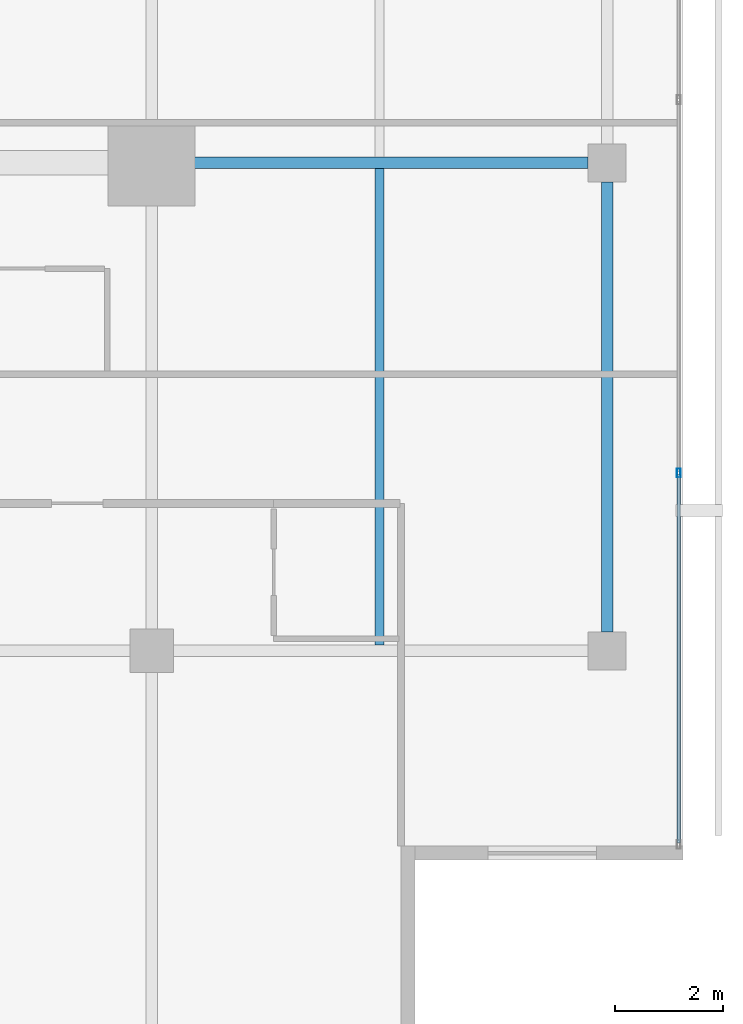
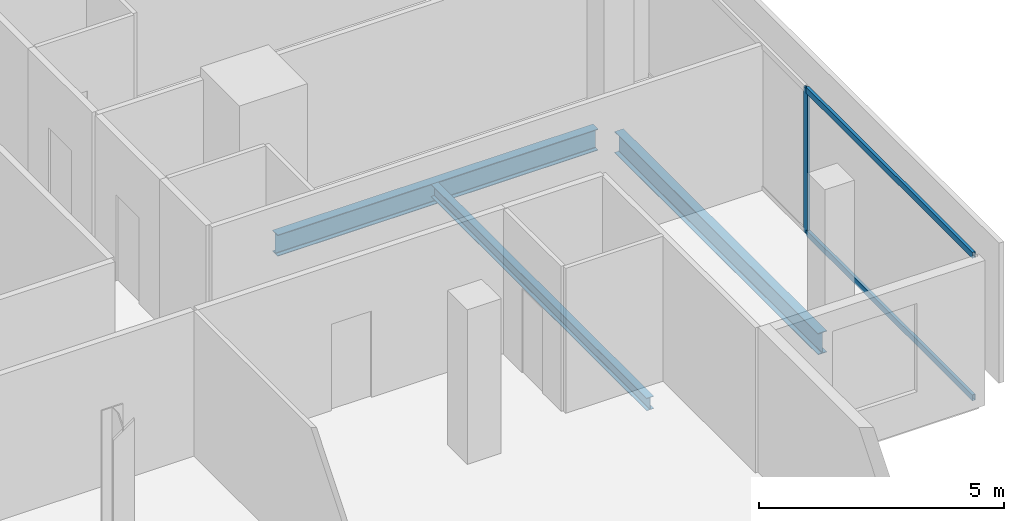
# One storey, part 12 of 25: 3 beams, 3 members, 1 element without a shape of its own.
"""IFC4 building model written with IfcOpenShell, lengths in metres."""

from ifc_helpers import new_model, si_unit, direction, frame, origin, origin_2d, place, context, subcontext, project, spatial, hollow_rectangle, i_section, extrude, material, layer, layer_set, material_profile, profile_set, type_object, element, aggregate, save


model = new_model("IFC4")

# Units and contexts
model_context = context("Model", 3, precision=1e-05, world=origin(), true_north=direction((0.0, 1.0)))
body_context = subcontext(model_context, "Body", "Model", "MODEL_VIEW")
ifc_project = project(units=[si_unit("LENGTHUNIT", "METRE"), si_unit("AREAUNIT", "SQUARE_METRE"), si_unit("VOLUMEUNIT", "CUBIC_METRE"), si_unit("PLANEANGLEUNIT", "RADIAN"), si_unit("MASSUNIT", "GRAM", prefix="KILO")], contexts=[model_context])

# Site, building, storey
site_placement = place(None, origin())
site = spatial("IfcSite", under=ifc_project, at=site_placement, CompositionType="ELEMENT")
building_placement = place(site_placement, origin())
building = spatial("IfcBuilding", under=site, at=building_placement, Name="Maruvema Waterfront Hotel and Observation Tower", CompositionType="ELEMENT")
storey_placement = place(building_placement, frame((0.0, 0.0, 274.050048828125)))
storey = spatial("IfcBuildingStorey", under=building, at=storey_placement, Name="L67", CompositionType="ELEMENT", Elevation=274.050048828125)

# Curtain wall, members
ifc_material_1 = material(Name="Anodised bronze aluminium and solar-control low-E IGU", Category="aluminium")
ifc_layer = layer(ifc_material_1, 0.159912109375, Name="Zone 3 Champagne Inner Thermal Curtain Wall System CW-04")
ifc_layer_set = layer_set([ifc_layer], Name="Anodised bronze aluminium and solar-control low-E IGU")
curtain_wall_type = type_object("IfcCurtainWallType", Name="Zone 3 Champagne Inner Thermal Curtain Wall System CW-04", PredefinedType="USERDEFINED", material=ifc_layer_set)
curtain_wall_placement = place(storey_placement, origin())
curtain_wall = element("IfcCurtainWall", 1, at=curtain_wall_placement, inside=storey, type_object=curtain_wall_type, Name="L67 Curtain Wall CW-L67-E", ObjectType="UNITISED CURTAIN WALL", PredefinedType="USERDEFINED")
ifc_material_2 = material(Name="Anodised architectural bronze aluminium", Category="aluminium")
ifc_material_profile_1 = material_profile(ifc_material_2, hollow_rectangle(XDim=0.070068359375, YDim=0.14990234375, WallThickness=0.00390625, at=origin_2d()), Name="ALU-T70x150")
ifc_profile_set_1 = profile_set([ifc_material_profile_1], Name="Anodised architectural bronze aluminium")
member_type_1 = type_object("IfcMemberType", Name="Curtain Wall Horizontal Transom ALU-T70x150", PredefinedType="USERDEFINED", material=ifc_profile_set_1)
member_1_placement = place(storey_placement, frame((60.1201171875, 14.4599609375, 0.030029296875), z_axis=(0.0, 1.0, 0.0), x_axis=(-1.0, 0.0, 0.0)))
member_1 = element("IfcMember", 2, at=member_1_placement, type_object=member_type_1, Name="CW-04 transom 1.1", ObjectType="TRANSOM", PredefinedType="USERDEFINED", context=body_context, shape_type="SweptSolid", body=[
    extrude(hollow_rectangle(XDim=0.070068359375, YDim=0.14990234375, WallThickness=0.00390625, at=origin_2d()), origin(), (0.0, 0.0, 1.0), 6.7900390625),
])
member_2_placement = place(storey_placement, frame((60.1201171875, 14.4599609375, 3.579833984375), z_axis=(0.0, 1.0, 0.0), x_axis=(-1.0, 0.0, 0.0)))
member_2 = element("IfcMember", 3, at=member_2_placement, type_object=member_type_1, Name="CW-04 transom 1.2", ObjectType="TRANSOM", PredefinedType="USERDEFINED", context=body_context, shape_type="SweptSolid", body=[
    extrude(hollow_rectangle(XDim=0.070068359375, YDim=0.14990234375, WallThickness=0.00390625, at=origin_2d()), origin(), (0.0, 0.0, 1.0), 6.7900390625),
])
ifc_material_3 = material(Name="Anodised architectural bronze aluminium", Category="aluminium")
ifc_material_profile_2 = material_profile(ifc_material_3, hollow_rectangle(XDim=0.06494140625, YDim=0.1650390625, WallThickness=0.00390625, at=origin_2d()), Name="ALU-M65x165")
ifc_profile_set_2 = profile_set([ifc_material_profile_2], Name="Anodised architectural bronze aluminium")
member_type_2 = type_object("IfcMemberType", Name="Curtain Wall Primary Mullion ALU-M65x165", PredefinedType="MULLION", material=ifc_profile_set_2)
member_3_placement = place(storey_placement, frame((60.1201171875, 21.280029296875, 0.0), z_axis=(0.0, 0.0, 1.0), x_axis=(-1.0, 0.0, 0.0)))
member_3 = element("IfcMember", 4, at=member_3_placement, type_object=member_type_2, Name="CW-04 mullion 2", PredefinedType="MULLION", context=body_context, shape_type="SweptSolid", body=[
    extrude(hollow_rectangle(XDim=0.06494140625, YDim=0.1650390625, WallThickness=0.00390625, at=origin_2d()), origin(), (0.0, 0.0, 1.0), 3.60986328125),
])
aggregate(curtain_wall, [member_3, member_1, member_2])

# Beams
ifc_material_4 = material(Name="Steel ASTM A572 Grade 50", Category="steel")
ifc_material_profile_3 = material_profile(ifc_material_4, i_section(OverallWidth=0.208984375, OverallDepth=0.532958984375, WebThickness=0.01025390625, FlangeThickness=0.015625, FilletRadius=0.014892578125, at=origin_2d()), Name="W530x92.0")
ifc_profile_set_3 = profile_set([ifc_material_profile_3], Name="Steel ASTM A572 Grade 50")
beam_type_1 = type_object("IfcBeamType", Name="Primary Floor Girder W530x92.0", PredefinedType="BEAM", material=ifc_profile_set_3)
beam_1_placement = place(storey_placement, frame((50.89990234375, 27.0, -0.506591796875), z_axis=(1.0, 0.0, 0.0), x_axis=(0.0, 1.0, 0.0)))
element("IfcBeam", 5, at=beam_1_placement, inside=storey, type_object=beam_type_1, Name="L67 Floor Girder EW-11", PredefinedType="BEAM", context=body_context, shape_type="SweptSolid", body=[
    extrude(i_section(OverallWidth=0.208984375, OverallDepth=0.532958984375, WebThickness=0.01025390625, FlangeThickness=0.015625, FilletRadius=0.014892578125, at=origin_2d()), origin(), (0.0, 0.0, 1.0), 7.550048828125),
])
beam_2_placement = place(storey_placement, frame((58.800048828125, 18.35009765625, -0.506591796875), z_axis=(0.0, 1.0, 0.0), x_axis=(-1.0, 0.0, 0.0)))
element("IfcBeam", 6, at=beam_2_placement, inside=storey, type_object=beam_type_1, Name="L67 Floor Girder NS-16", PredefinedType="BEAM", context=body_context, shape_type="SweptSolid", body=[
    extrude(i_section(OverallWidth=0.208984375, OverallDepth=0.532958984375, WebThickness=0.01025390625, FlangeThickness=0.015625, FilletRadius=0.014892578125, at=origin_2d()), origin(), (0.0, 0.0, 1.0), 8.2998046875),
])
ifc_material_5 = material(Name="Steel ASTM A572 Grade 50", Category="steel")
ifc_material_profile_4 = material_profile(ifc_material_5, i_section(OverallWidth=0.1669921875, OverallDepth=0.31689453125, WebThickness=0.007568359375, FlangeThickness=0.01318359375, FilletRadius=0.012939453125, at=origin_2d()), Name="W310x52.0")
ifc_profile_set_4 = profile_set([ifc_material_profile_4], Name="Steel ASTM A572 Grade 50")
beam_type_2 = type_object("IfcBeamType", Name="Secondary Floor Joist W310x52.0", PredefinedType="JOIST", material=ifc_profile_set_4)
beam_3_placement = place(storey_placement, frame((54.60009765625, 18.1044921875, -0.3984375), z_axis=(0.0, 1.0, 0.0), x_axis=(-1.0, 0.0, 0.0)))
element("IfcBeam", 7, at=beam_3_placement, inside=storey, type_object=beam_type_2, Name="L67 Secondary Floor Joist JS-07", PredefinedType="JOIST", context=body_context, shape_type="SweptSolid", body=[
    extrude(i_section(OverallWidth=0.1669921875, OverallDepth=0.31689453125, WebThickness=0.007568359375, FlangeThickness=0.01318359375, FilletRadius=0.012939453125, at=origin_2d()), origin(), (0.0, 0.0, 1.0), 8.791015625),
])

save(model, "model.ifc")
